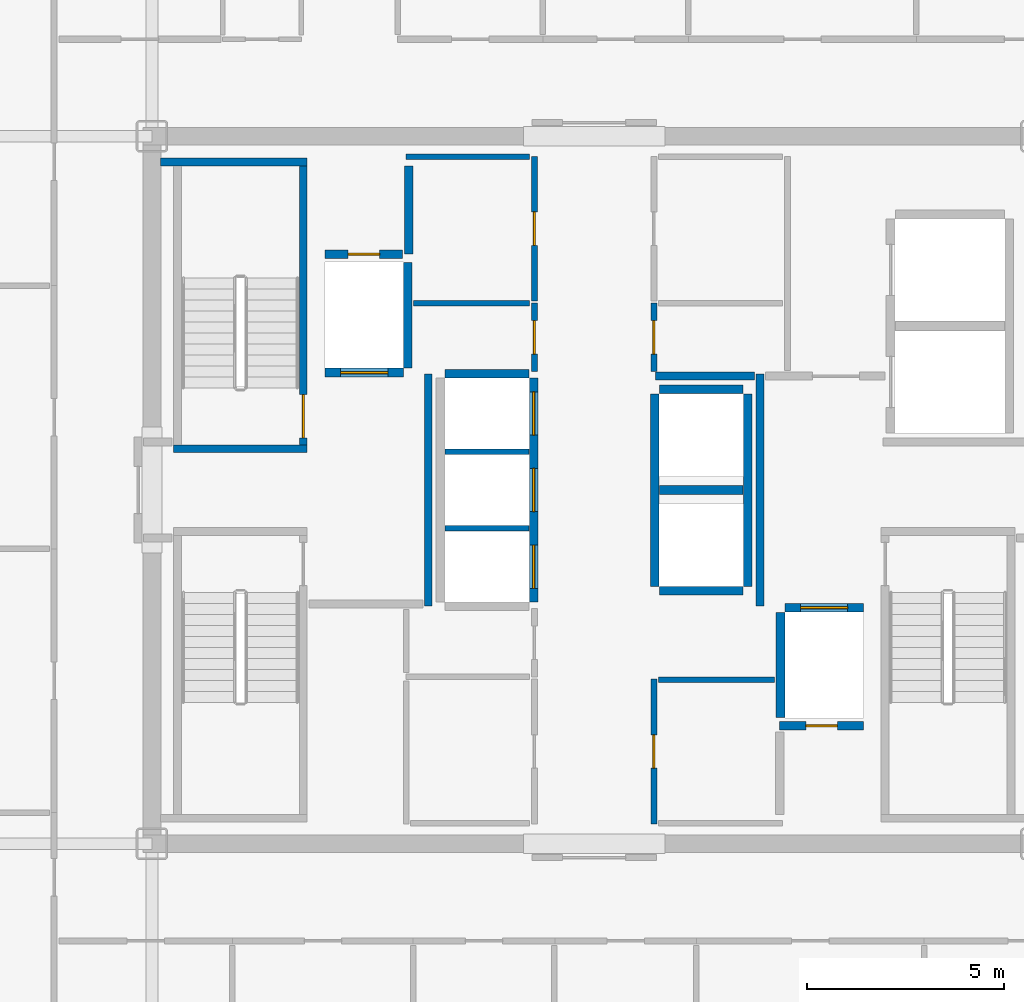
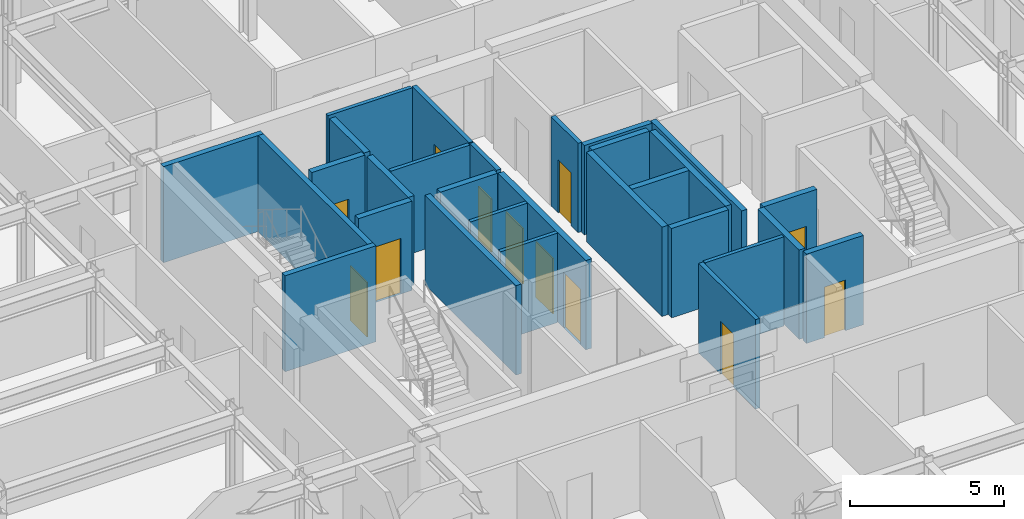
# One storey, part 14 of 18: 29 walls, 12 doors, 12 openings.
"""IFC4 building model written with IfcOpenShell, lengths in metres."""

import ifcopenshell
import ifcopenshell.guid

model = None  # the IFC model being written
_history = None  # IfcOwnerHistory: only IFC2X3 demands one
_inside = {}  # id of a spatial element -> (the spatial element, [elements in it])
_under = {}  # id of a project, library or spatial element -> (it, [spatial elements below it])
_declared = {}  # id of a project -> (the project, [libraries it declares])
_typed = {}  # id of a type object -> (the type object, [elements of that type])
_made_of = {}  # id of a material, layer set ... -> (it, [elements and type objects made of it])


def new_model(schema):
    """Start an empty IFC model of exactly this schema.

    Asked for "IFC4X3", IfcOpenShell would pick the latest addendum, in which some entities
    have other attributes; the version numbers below select the first issue.
    IFC2X3 requires an IfcOwnerHistory on every rooted entity: one is made here for all.
    """
    global model, _history
    if schema == "IFC4X3":
        model = ifcopenshell.file(schema_version=(4, 3, 0, 0))
    else:
        model = ifcopenshell.file(schema=schema)
    _inside.clear()
    _under.clear()
    _declared.clear()
    _typed.clear()
    _made_of.clear()
    _history = None
    if model.schema == "IFC2X3":
        org = make("IfcOrganization", Name="unknown")
        user = make(
            "IfcPersonAndOrganization",
            ThePerson=make("IfcPerson", FamilyName="unknown"),
            TheOrganization=org,
        )
        app = make(
            "IfcApplication",
            ApplicationDeveloper=org,
            Version="unknown",
            ApplicationFullName="unknown",
            ApplicationIdentifier="unknown",
        )
        _history = make(
            "IfcOwnerHistory",
            OwningUser=user,
            OwningApplication=app,
            ChangeAction="ADDED",
            CreationDate=0,
        )
    return model


def make(cls, **values):
    """One entity of the class cls with the attributes given. An attribute that is None is left unset."""
    return model.create_entity(
        cls, **{name: value for name, value in values.items() if value is not None}
    )


def rooted(cls, **values):
    """An entity with a GlobalId (a new one), such as an element, a storey or a relation."""
    return make(cls, GlobalId=ifcopenshell.guid.new(), OwnerHistory=_history, **values)


def si_unit(unit_type, name, prefix=None):
    """IfcSIUnit, for example si_unit("LENGTHUNIT", "METRE", prefix="MILLI")."""
    return make("IfcSIUnit", UnitType=unit_type, Prefix=prefix, Name=name)


def assignment(units):
    """IfcUnitAssignment: the units of a project."""
    return None if units is None else make("IfcUnitAssignment", Units=units)


def point(xyz):
    """IfcCartesianPoint."""
    return None if xyz is None else make("IfcCartesianPoint", Coordinates=xyz)


def direction(xyz):
    """IfcDirection."""
    return None if xyz is None else make("IfcDirection", DirectionRatios=xyz)


def frame(location, z_axis=None, x_axis=None):
    """IfcAxis2Placement3D, a coordinate frame: its origin and axes. An axis left out is left unset."""
    return make(
        "IfcAxis2Placement3D",
        Location=point(location),
        Axis=direction(z_axis),
        RefDirection=direction(x_axis),
    )


def frame_2d(location, x_axis=None):
    """IfcAxis2Placement2D, a coordinate frame in the plane: its origin and x axis."""
    return make(
        "IfcAxis2Placement2D", Location=point(location), RefDirection=direction(x_axis)
    )


def origin():
    """The frame at (0, 0, 0) with its axes left unset."""
    return frame((0.0, 0.0, 0.0))


def place(relative_to, where):
    """IfcLocalPlacement: puts the frame where relative to a parent placement (None: the world)."""
    return make(
        "IfcLocalPlacement", PlacementRelTo=relative_to, RelativePlacement=where
    )


def context(
    kind, dimensions, precision=None, world=None, true_north=None, identifier=None
):
    """IfcGeometricRepresentationContext, for example the 3D "Model" context."""
    return make(
        "IfcGeometricRepresentationContext",
        ContextIdentifier=identifier,
        ContextType=kind,
        CoordinateSpaceDimension=dimensions,
        Precision=precision,
        WorldCoordinateSystem=world,
        TrueNorth=true_north,
    )


def subcontext(parent, identifier, kind, view, scale=None):
    """IfcGeometricRepresentationSubContext, for example "Body" below "Model"."""
    return make(
        "IfcGeometricRepresentationSubContext",
        ContextIdentifier=identifier,
        ContextType=kind,
        ParentContext=parent,
        TargetScale=scale,
        TargetView=view,
    )


def project(units=None, contexts=None):
    """IfcProject with its units and contexts."""
    return rooted(
        "IfcProject",
        Name="project",
        RepresentationContexts=contexts,
        UnitsInContext=assignment(units),
    )


def spatial(cls, under=None, at=None, **own):
    """A site, building, storey or space (cls), placed at a placement, below another one or the project."""
    s = rooted(cls, ObjectPlacement=at, **own)
    if under is not None:
        _under.setdefault(under.id(), (under, []))[1].append(s)
    return s


def profile(cls, at=None, kind="AREA", **sizes):
    """A parametric profile (cls). Its sizes go by their IFC names, for example OverallWidth=200.0."""
    return make(cls, ProfileType=kind, Position=at, **sizes)


def rectangle(**sizes):
    """IfcRectangleProfileDef."""
    return profile("IfcRectangleProfileDef", **sizes)


def extrude(swept, where, along, depth):
    """IfcExtrudedAreaSolid: the profile swept, set in the frame where, extruded along a direction by depth."""
    return make(
        "IfcExtrudedAreaSolid",
        SweptArea=swept,
        Position=where,
        ExtrudedDirection=direction(along),
        Depth=depth,
    )


def shape(context_of_items, identifier, shape_type, items):
    """IfcShapeRepresentation: the items that make up one representation, for example the "Body"."""
    return make(
        "IfcShapeRepresentation",
        ContextOfItems=context_of_items,
        RepresentationIdentifier=identifier,
        RepresentationType=shape_type,
        Items=items,
    )


def source(mapping_origin, context_of_items, identifier, shape_type, items):
    """IfcRepresentationMap: a shape defined once, which mapped items show again and again."""
    return make(
        "IfcRepresentationMap",
        MappingOrigin=mapping_origin,
        MappedRepresentation=shape(context_of_items, identifier, shape_type, items),
    )


def transform(
    local_origin,
    x_axis=None,
    y_axis=None,
    z_axis=None,
    scale=None,
    scale2=None,
    scale3=None,
    uniform=True,
):
    """IfcCartesianTransformationOperator3D, or its non-uniform kind. x_axis, y_axis, z_axis: its Axis1, 2, 3."""
    if uniform:
        return make(
            "IfcCartesianTransformationOperator3D",
            Axis1=direction(x_axis),
            Axis2=direction(y_axis),
            LocalOrigin=point(local_origin),
            Scale=scale,
            Axis3=direction(z_axis),
        )
    return make(
        "IfcCartesianTransformationOperator3DnonUniform",
        Axis1=direction(x_axis),
        Axis2=direction(y_axis),
        LocalOrigin=point(local_origin),
        Scale=scale,
        Axis3=direction(z_axis),
        Scale2=scale2,
        Scale3=scale3,
    )


def mapped(mapping_source, mapping_target):
    """IfcMappedItem: shows the shape of a source again, moved by a transform."""
    return make(
        "IfcMappedItem", MappingSource=mapping_source, MappingTarget=mapping_target
    )


def material(Name=None, Category=None):
    """IfcMaterial."""
    return make("IfcMaterial", Name=Name, Category=Category)


def layer(
    of_material, thickness, ventilated=None, Name=None, Category=None, Priority=None
):
    """IfcMaterialLayer: one layer of a wall or slab, of a material (None: an air gap)."""
    return make(
        "IfcMaterialLayer",
        Material=of_material,
        LayerThickness=thickness,
        IsVentilated=ventilated,
        Name=Name,
        Category=Category,
        Priority=Priority,
    )


def layer_set(layers, Name=None):
    """IfcMaterialLayerSet."""
    return make("IfcMaterialLayerSet", MaterialLayers=layers, LayerSetName=Name)


def made_of(thing, what):
    """Note that an element or type object is made of a material, layer set ...; save() writes the relation."""
    if what is not None:
        _made_of.setdefault(what.id(), (what, []))[1].append(thing)
    return thing


def type_object(cls, material=None, **own):
    """A type object (cls), such as IfcWallType, which elements share."""
    return made_of(rooted(cls, **own), material)


def element(
    cls,
    number,
    at=None,
    inside=None,
    cuts=None,
    type_object=None,
    material=None,
    context=None,
    identifier="Body",
    shape_type=None,
    held_by="IfcProductDefinitionShape",
    body=None,
    shapes=None,
    **own,
):
    """One element of the class cls, such as IfcWall. Its Tag is "e" and its number.

    at: its placement. inside: the storey or other place that contains it. cuts: it is an
    opening in that element (IfcRelVoidsElement). A single representation is given by context,
    identifier, shape_type and body (its items); several are given by shapes. held_by: the class
    of the entity that holds the representations. save() writes the other relations.
    """
    e = rooted(cls, Tag="e%d" % number, ObjectPlacement=at, **own)
    if body is not None:
        shapes = [shape(context, identifier, shape_type, body)]
    if shapes is not None:
        e.Representation = make(held_by, Representations=shapes)
    if inside is not None:
        _inside.setdefault(inside.id(), (inside, []))[1].append(e)
    if cuts is not None:
        rooted(
            "IfcRelVoidsElement", RelatingBuildingElement=cuts, RelatedOpeningElement=e
        )
    if type_object is not None:
        _typed.setdefault(type_object.id(), (type_object, []))[1].append(e)
    return made_of(e, material)


def fill(opening, filler):
    """IfcRelFillsElement: the door or window that sits in an opening."""
    return rooted(
        "IfcRelFillsElement",
        RelatingOpeningElement=opening,
        RelatedBuildingElement=filler,
    )


def aggregate(whole, parts):
    """IfcRelAggregates: a whole, such as a stair, and the parts it consists of."""
    return rooted("IfcRelAggregates", RelatingObject=whole, RelatedObjects=parts)


def save(model, path):
    """Write the relations noted so far, then the file.

    IfcRelAggregates (storeys below a building ...), IfcRelContainedInSpatialStructure (elements
    in a storey), IfcRelDefinesByType, IfcRelAssociatesMaterial and IfcRelDeclares: one each for
    every whole, place, type object, material and project.
    """
    for whole, parts in _under.values():
        aggregate(whole, parts)
    for where, things in _inside.values():
        rooted(
            "IfcRelContainedInSpatialStructure",
            RelatedElements=things,
            RelatingStructure=where,
        )
    for kind, things in _typed.values():
        rooted("IfcRelDefinesByType", RelatedObjects=things, RelatingType=kind)
    for what, things in _made_of.values():
        rooted("IfcRelAssociatesMaterial", RelatedObjects=things, RelatingMaterial=what)
    for by, libraries in _declared.values():
        rooted("IfcRelDeclares", RelatingContext=by, RelatedDefinitions=libraries)
    model.write(path)


model = new_model("IFC4")

# Units and contexts
model_context = context("Model", 3, precision=1e-05, world=origin(), true_north=direction((0.0, 1.0)))
body_context = subcontext(model_context, "Body", "Model", "MODEL_VIEW")
ifc_project = project(units=[si_unit("LENGTHUNIT", "METRE"), si_unit("AREAUNIT", "SQUARE_METRE"), si_unit("VOLUMEUNIT", "CUBIC_METRE"), si_unit("PLANEANGLEUNIT", "RADIAN"), si_unit("MASSUNIT", "GRAM", prefix="KILO")], contexts=[model_context])

# Site, building, storey
site_placement = place(None, origin())
site = spatial("IfcSite", under=ifc_project, at=site_placement, CompositionType="ELEMENT")
building_placement = place(site_placement, origin())
building = spatial("IfcBuilding", under=site, at=building_placement, Name="Nefas-Gora Pilgrimage Tower", CompositionType="ELEMENT")
storey_placement = place(building_placement, frame((0.0, 0.0, 268.39990234375)))
storey = spatial("IfcBuildingStorey", under=building, at=storey_placement, Name="L67", CompositionType="ELEMENT", Elevation=268.39990234375)

# Wall
ifc_material_1 = material(Name="Concrete C45/55", Category="concrete")
ifc_layer_1 = layer(ifc_material_1, 0.199951171875)
ifc_layer_set_1 = layer_set([ifc_layer_1], Name="Concrete C45/55")
wall_type_1 = type_object("IfcWallType", Name="IW-STAIR-200", PredefinedType="SOLIDWALL", material=ifc_layer_set_1)
shared_shape_1 = source(origin(), body_context, "Body", "SweptSolid", [
    extrude(rectangle(XDim=3.39990234375, YDim=0.199951171875, at=frame_2d((1.699951171875, 0.0))), origin(), (0.0, 0.0, 1.0), 3.800048828125),
])
wall_1_placement = place(storey_placement, frame((-7.300048828125, 1.050048828125, 0.0), z_axis=(0.0, 0.0, 1.0), x_axis=(-1.0, 0.0, 0.0)))
element("IfcWall", 1, at=wall_1_placement, inside=storey, type_object=wall_type_1, Name="L67 Stairwell Shear Wall ST-01-near", PredefinedType="SOLIDWALL", context=body_context, shape_type="MappedRepresentation", body=[
    mapped(shared_shape_1, transform((0.0, 0.0, 0.0), x_axis=(1.0, 0.0, 0.0), y_axis=(0.0, 1.0, 0.0), z_axis=(0.0, 0.0, 1.0), scale=1.0)),
])

# Wall, opening, door
shared_shape_2 = source(origin(), body_context, "Body", "SweptSolid", [
    extrude(rectangle(XDim=7.10009765625, YDim=0.199951171875, at=frame_2d((3.550048828125, 0.0))), origin(), (0.0, 0.0, 1.0), 3.800048828125),
])
wall_2_placement = place(storey_placement, frame((-7.39990234375, 1.14990234375, 0.0), z_axis=(0.0, 0.0, 1.0), x_axis=(0.0, 1.0, 0.0)))
wall_2 = element("IfcWall", 2, at=wall_2_placement, inside=storey, type_object=wall_type_1, Name="L67 Stairwell Shear Wall ST-01-left", PredefinedType="SOLIDWALL", context=body_context, shape_type="MappedRepresentation", body=[
    mapped(shared_shape_2, transform((0.0, 0.0, 0.0), x_axis=(1.0, 0.0, 0.0), y_axis=(0.0, 1.0, 0.0), z_axis=(0.0, 0.0, 1.0), scale=1.0)),
])
opening_1_placement = place(wall_2_placement, frame((0.179931640625, 0.0, 0.0)))
opening_1 = element("IfcOpeningElement", 3, at=opening_1_placement, cuts=wall_2, Name="Opening ID-ST1", PredefinedType="OPENING", context=body_context, shape_type="SweptSolid", body=[
    extrude(rectangle(XDim=1.10009765625, YDim=2.14990234375, at=frame_2d((0.550048828125, 1.074951171875))), frame((0.0, 0.10986328125, 0.0), z_axis=(0.0, -1.0, 0.0), x_axis=(1.0, 0.0, 0.0)), (0.0, 0.0, 1.0), 0.219970703125),
])
ifc_material_2 = material(Name="Painted galvanised steel fire stair door", Category="steel")
door_type_1 = type_object("IfcDoorType", Name="DR-INT-STAIR-1100", OperationType="NOTDEFINED", PredefinedType="DOOR", material=ifc_material_2)
shared_shape_3 = source(origin(), body_context, "Body", "SweptSolid", [
    extrude(rectangle(XDim=1.10009765625, YDim=2.14990234375, at=frame_2d((0.550048828125, 1.074951171875))), frame((0.0, 0.02490234375, 0.0), z_axis=(0.0, -1.0, 0.0), x_axis=(1.0, 0.0, 0.0)), (0.0, 0.0, 1.0), 0.050048828125),
])
door_1_placement = place(opening_1_placement, origin())
door_1 = element("IfcDoor", 4, at=door_1_placement, inside=storey, type_object=door_type_1, Name="L67 Protected Exit Stair Door ST-01", OperationType="SINGLE_SWING_LEFT", OverallHeight=2.14990234375, OverallWidth=1.10009765625, PredefinedType="DOOR", context=body_context, shape_type="MappedRepresentation", body=[
    mapped(shared_shape_3, transform((0.0, 0.0, 0.0), x_axis=(1.0, 0.0, 0.0), y_axis=(0.0, 1.0, 0.0), z_axis=(0.0, 0.0, 1.0), scale=1.0)),
])
fill(opening_1, door_1)

# Wall
shared_shape_4 = source(origin(), body_context, "Body", "SweptSolid", [
    extrude(rectangle(XDim=3.72998046875, YDim=0.199951171875, at=frame_2d((1.864990234375, 0.0))), origin(), (0.0, 0.0, 1.0), 3.800048828125),
])
wall_3_placement = place(storey_placement, frame((-7.300048828125, 8.35009765625, 0.0), z_axis=(0.0, 0.0, 1.0), x_axis=(-1.0, 0.0, 0.0)))
element("IfcWall", 5, at=wall_3_placement, inside=storey, type_object=wall_type_1, Name="L67 Stairwell Shear Wall ST-01-far", PredefinedType="SOLIDWALL", context=body_context, shape_type="MappedRepresentation", body=[
    mapped(shared_shape_4, transform((0.0, 0.0, 0.0), x_axis=(1.0, 0.0, 0.0), y_axis=(0.0, 1.0, 0.0), z_axis=(0.0, 0.0, 1.0), scale=1.0)),
])

# Wall, opening, door
ifc_material_3 = material(Name="Concrete C40/50", Category="concrete")
ifc_layer_2 = layer(ifc_material_3, 0.219970703125)
ifc_layer_set_2 = layer_set([ifc_layer_2], Name="Concrete C40/50")
wall_type_2 = type_object("IfcWallType", Name="IW-SHAFT-220", PredefinedType="SOLIDWALL", material=ifc_layer_set_2)
shared_shape_5 = source(origin(), body_context, "Body", "SweptSolid", [
    extrude(rectangle(XDim=2.0, YDim=0.219970703125, at=frame_2d((1.0, 0.0))), origin(), (0.0, 0.0, 1.0), 3.53515625),
])
wall_4_placement = place(storey_placement, frame((-6.85009765625, 2.989990234375, 0.0), z_axis=(0.0, 0.0, 1.0), x_axis=(1.0, 0.0, 0.0)))
wall_4 = element("IfcWall", 6, at=wall_4_placement, inside=storey, type_object=wall_type_2, Name="L67 Hoistway Wall FFL-01-S", PredefinedType="SOLIDWALL", context=body_context, shape_type="MappedRepresentation", body=[
    mapped(shared_shape_5, transform((0.0, 0.0, 0.0), x_axis=(1.0, 0.0, 0.0), y_axis=(0.0, 1.0, 0.0), z_axis=(0.0, 0.0, 1.0), scale=1.0)),
])
opening_2_placement = place(wall_4_placement, frame((0.39990234375, 0.0, 0.0)))
opening_2 = element("IfcOpeningElement", 7, at=opening_2_placement, cuts=wall_4, Name="Opening LD-FF", PredefinedType="OPENING", context=body_context, shape_type="SweptSolid", body=[
    extrude(rectangle(XDim=1.199951171875, YDim=2.199951171875, at=frame_2d((0.60009765625, 1.10009765625))), frame((0.0, 0.119873046875, 0.0), z_axis=(0.0, -1.0, 0.0), x_axis=(1.0, 0.0, 0.0)), (0.0, 0.0, 1.0), 0.239990234375),
])
ifc_material_4 = material(Name="Fire-service sliding lift landing door")
door_type_2 = type_object("IfcDoorType", Name="DR-LIFT-FSAE-1200", OperationType="SLIDING_TO_LEFT", PredefinedType="DOOR", material=ifc_material_4)
shared_shape_6 = source(origin(), body_context, "Body", "SweptSolid", [
    extrude(rectangle(XDim=1.199951171875, YDim=2.199951171875, at=frame_2d((0.60009765625, 1.10009765625))), frame((0.0, 0.02490234375, 0.0), z_axis=(0.0, -1.0, 0.0), x_axis=(1.0, 0.0, 0.0)), (0.0, 0.0, 1.0), 0.050048828125),
])
door_2_placement = place(opening_2_placement, origin())
door_2 = element("IfcDoor", 8, at=door_2_placement, inside=storey, type_object=door_type_2, Name="L67 Sliding Lift Landing Door FFL-01", OperationType="SLIDING_TO_LEFT", OverallHeight=2.199951171875, OverallWidth=1.199951171875, PredefinedType="DOOR", context=body_context, shape_type="MappedRepresentation", body=[
    mapped(shared_shape_6, transform((0.0, 0.0, 0.0), x_axis=(1.0, 0.0, 0.0), y_axis=(0.0, 1.0, 0.0), z_axis=(0.0, 0.0, 1.0), scale=1.0)),
])
fill(opening_2, door_2)

wall_5_placement = place(storey_placement, frame((6.85009765625, -2.989990234375, 0.0), z_axis=(0.0, 0.0, 1.0), x_axis=(-1.0, 0.0, 0.0)))
wall_5 = element("IfcWall", 9, at=wall_5_placement, inside=storey, type_object=wall_type_2, Name="L67 Hoistway Wall FFL-02-N", PredefinedType="SOLIDWALL", context=body_context, shape_type="MappedRepresentation", body=[
    mapped(shared_shape_5, transform((0.0, 0.0, 0.0), x_axis=(1.0, 0.0, 0.0), y_axis=(0.0, 1.0, 0.0), z_axis=(0.0, 0.0, 1.0), scale=1.0)),
])
opening_3_placement = place(wall_5_placement, frame((0.39990234375, 0.0, 0.0)))
opening_3 = element("IfcOpeningElement", 10, at=opening_3_placement, cuts=wall_5, Name="Opening LD-FF", PredefinedType="OPENING", context=body_context, shape_type="SweptSolid", body=[
    extrude(rectangle(XDim=1.199951171875, YDim=2.199951171875, at=frame_2d((0.60009765625, 1.10009765625))), frame((0.0, 0.119873046875, 0.0), z_axis=(0.0, -1.0, 0.0), x_axis=(1.0, 0.0, 0.0)), (0.0, 0.0, 1.0), 0.239990234375),
])
door_3_placement = place(opening_3_placement, origin())
door_3 = element("IfcDoor", 11, at=door_3_placement, inside=storey, type_object=door_type_2, Name="L67 Sliding Lift Landing Door FFL-02", OperationType="SLIDING_TO_LEFT", OverallHeight=2.199951171875, OverallWidth=1.199951171875, PredefinedType="DOOR", context=body_context, shape_type="MappedRepresentation", body=[
    mapped(shared_shape_6, transform((0.0, 0.0, 0.0), x_axis=(1.0, 0.0, 0.0), y_axis=(0.0, 1.0, 0.0), z_axis=(0.0, 0.0, 1.0), scale=1.0)),
])
fill(opening_3, door_3)

# Walls
shared_shape_7 = source(origin(), body_context, "Body", "SweptSolid", [
    extrude(rectangle(XDim=2.679931640625, YDim=0.219970703125, at=frame_2d((1.33984375, 0.0))), origin(), (0.0, 0.0, 1.0), 3.53515625),
])
for number, where, z_axis, x_axis, name in (
    (12, (-4.739990234375, 3.110107421875, 0.0), (0.0, 0.0, 1.0), (0.0, 1.0, 0.0), "L67 Hoistway Wall FFL-01-E"),
    (13, (4.739990234375, -3.110107421875, 0.0), (0.0, 0.0, 1.0), (0.0, -1.0, 0.0), "L67 Hoistway Wall FFL-02-W"),
):
    element("IfcWall", number, at=place(storey_placement, frame(where, z_axis=z_axis, x_axis=x_axis)), inside=storey, type_object=wall_type_2, Name=name, PredefinedType="SOLIDWALL", context=body_context, shape_type="MappedRepresentation", body=[
        mapped(shared_shape_7, transform((0.0, 0.0, 0.0), x_axis=(1.0, 0.0, 0.0), y_axis=(0.0, 1.0, 0.0), z_axis=(0.0, 0.0, 1.0), scale=1.0)),
    ])

# Wall, openings, doors
shared_shape_8 = source(origin(), body_context, "Body", "SweptSolid", [
    extrude(rectangle(XDim=5.7001953125, YDim=0.219970703125, at=frame_2d((2.85009765625, 0.0))), origin(), (0.0, 0.0, 1.0), 3.53515625),
])
wall_6_placement = place(storey_placement, frame((-1.5400390625, -2.85009765625, 0.0), z_axis=(0.0, 0.0, 1.0), x_axis=(0.0, 1.0, 0.0)))
wall_6 = element("IfcWall", 14, at=wall_6_placement, inside=storey, type_object=wall_type_2, Name="L67 Hoistway Wall PL3-01-03-E", PredefinedType="SOLIDWALL", context=body_context, shape_type="MappedRepresentation", body=[
    mapped(shared_shape_8, transform((0.0, 0.0, 0.0), x_axis=(1.0, 0.0, 0.0), y_axis=(0.0, 1.0, 0.0), z_axis=(0.0, 0.0, 1.0), scale=1.0)),
])
opening_4_placement = place(wall_6_placement, frame((0.35009765625, 0.0, 0.0)))
opening_4 = element("IfcOpeningElement", 15, at=opening_4_placement, cuts=wall_6, Name="Opening LD-01", PredefinedType="OPENING", context=body_context, shape_type="SweptSolid", body=[
    extrude(rectangle(XDim=1.10009765625, YDim=2.199951171875, at=frame_2d((0.550048828125, 1.10009765625))), frame((0.0, 0.119873046875, 0.0), z_axis=(0.0, -1.0, 0.0), x_axis=(1.0, 0.0, 0.0)), (0.0, 0.0, 1.0), 0.239990234375),
])
opening_5_placement = place(wall_6_placement, frame((2.300048828125, 0.0, 0.0)))
opening_5 = element("IfcOpeningElement", 16, at=opening_5_placement, cuts=wall_6, Name="Opening LD-01", PredefinedType="OPENING", context=body_context, shape_type="SweptSolid", body=[
    extrude(rectangle(XDim=1.10009765625, YDim=2.199951171875, at=frame_2d((0.550048828125, 1.10009765625))), frame((0.0, 0.119873046875, 0.0), z_axis=(0.0, -1.0, 0.0), x_axis=(1.0, 0.0, 0.0)), (0.0, 0.0, 1.0), 0.239990234375),
])
opening_6_placement = place(wall_6_placement, frame((4.25, 0.0, 0.0)))
opening_6 = element("IfcOpeningElement", 17, at=opening_6_placement, cuts=wall_6, Name="Opening LD-01", PredefinedType="OPENING", context=body_context, shape_type="SweptSolid", body=[
    extrude(rectangle(XDim=1.10009765625, YDim=2.199951171875, at=frame_2d((0.550048828125, 1.10009765625))), frame((0.0, 0.119873046875, 0.0), z_axis=(0.0, -1.0, 0.0), x_axis=(1.0, 0.0, 0.0)), (0.0, 0.0, 1.0), 0.239990234375),
])
ifc_material_5 = material(Name="Brushed stainless sliding lift landing door")
door_type_3 = type_object("IfcDoorType", Name="DR-LIFT-PASS-1100", OperationType="DOUBLE_DOOR_SLIDING", PredefinedType="DOOR", material=ifc_material_5)
shared_shape_9 = source(origin(), body_context, "Body", "SweptSolid", [
    extrude(rectangle(XDim=1.10009765625, YDim=2.199951171875, at=frame_2d((0.550048828125, 1.10009765625))), frame((0.0, 0.02490234375, 0.0), z_axis=(0.0, -1.0, 0.0), x_axis=(1.0, 0.0, 0.0)), (0.0, 0.0, 1.0), 0.050048828125),
])
door_4_placement = place(opening_4_placement, origin())
door_4 = element("IfcDoor", 18, at=door_4_placement, inside=storey, type_object=door_type_3, Name="L67 Sliding Lift Landing Door PL3-01", OperationType="DOUBLE_DOOR_SLIDING", OverallHeight=2.199951171875, OverallWidth=1.10009765625, PredefinedType="DOOR", context=body_context, shape_type="MappedRepresentation", body=[
    mapped(shared_shape_9, transform((0.0, 0.0, 0.0), x_axis=(1.0, 0.0, 0.0), y_axis=(0.0, 1.0, 0.0), z_axis=(0.0, 0.0, 1.0), scale=1.0)),
])
fill(opening_4, door_4)
door_5_placement = place(opening_5_placement, origin())
door_5 = element("IfcDoor", 19, at=door_5_placement, inside=storey, type_object=door_type_3, Name="L67 Sliding Lift Landing Door PL3-02", OperationType="DOUBLE_DOOR_SLIDING", OverallHeight=2.199951171875, OverallWidth=1.10009765625, PredefinedType="DOOR", context=body_context, shape_type="MappedRepresentation", body=[
    mapped(shared_shape_9, transform((0.0, 0.0, 0.0), x_axis=(1.0, 0.0, 0.0), y_axis=(0.0, 1.0, 0.0), z_axis=(0.0, 0.0, 1.0), scale=1.0)),
])
fill(opening_5, door_5)
door_6_placement = place(opening_6_placement, origin())
door_6 = element("IfcDoor", 20, at=door_6_placement, inside=storey, type_object=door_type_3, Name="L67 Sliding Lift Landing Door PL3-03", OperationType="DOUBLE_DOOR_SLIDING", OverallHeight=2.199951171875, OverallWidth=1.10009765625, PredefinedType="DOOR", context=body_context, shape_type="MappedRepresentation", body=[
    mapped(shared_shape_9, transform((0.0, 0.0, 0.0), x_axis=(1.0, 0.0, 0.0), y_axis=(0.0, 1.0, 0.0), z_axis=(0.0, 0.0, 1.0), scale=1.0)),
])
fill(opening_6, door_6)

# Walls
shared_shape_10 = source(origin(), body_context, "Body", "SweptSolid", [
    extrude(rectangle(XDim=2.130126953125, YDim=0.219970703125, at=frame_2d((1.06494140625, 0.0))), origin(), (0.0, 0.0, 1.0), 3.53515625),
])
for number, where, z_axis, x_axis, name in (
    (21, (-1.659912109375, 2.9599609375, 0.0), (0.0, 0.0, 1.0), (-1.0, 0.0, 0.0), "L67 Hoistway Wall PL3-03-N"),
    (22, (1.659912109375, -2.56005859375, 0.0), (0.0, 0.0, 1.0), (1.0, 0.0, 0.0), "L67 Hoistway Wall OBS-01-S"),
    (23, (1.659912109375, 0.0, 0.0), (0.0, 0.0, 1.0), (1.0, 0.0, 0.0), "L67 Hoistway Wall OBS-01-02-DIV"),
    (24, (3.7900390625, 2.56005859375, 0.0), (0.0, 0.0, 1.0), (-1.0, 0.0, 0.0), "L67 Hoistway Wall OBS-02-N"),
):
    element("IfcWall", number, at=place(storey_placement, frame(where, z_axis=z_axis, x_axis=x_axis)), inside=storey, type_object=wall_type_2, Name=name, PredefinedType="SOLIDWALL", context=body_context, shape_type="MappedRepresentation", body=[
        mapped(shared_shape_10, transform((0.0, 0.0, 0.0), x_axis=(1.0, 0.0, 0.0), y_axis=(0.0, 1.0, 0.0), z_axis=(0.0, 0.0, 1.0), scale=1.0)),
    ])

# Wall, opening, door
wall_7_placement = place(storey_placement, frame((4.719970703125, -6.0, 0.0), z_axis=(0.0, 0.0, 1.0), x_axis=(1.0, 0.0, 0.0)))
wall_7 = element("IfcWall", 25, at=wall_7_placement, inside=storey, type_object=wall_type_2, Name="L67 Riser Shaft Wall 3", PredefinedType="SOLIDWALL", context=body_context, shape_type="MappedRepresentation", body=[
    mapped(shared_shape_10, transform((0.0, 0.0, 0.0), x_axis=(1.0, 0.0, 0.0), y_axis=(0.0, 1.0, 0.0), z_axis=(0.0, 0.0, 1.0), scale=1.0)),
])
opening_7_placement = place(wall_7_placement, frame((0.6650390625, 0.0, 0.0)))
opening_7 = element("IfcOpeningElement", 26, at=opening_7_placement, cuts=wall_7, Name="Opening ID-TR1", PredefinedType="OPENING", context=body_context, shape_type="SweptSolid", body=[
    extrude(rectangle(XDim=0.800048828125, YDim=2.0, at=frame_2d((0.39990234375, 1.0))), frame((0.0, 0.119873046875, 0.0), z_axis=(0.0, -1.0, 0.0), x_axis=(1.0, 0.0, 0.0)), (0.0, 0.0, 1.0), 0.239990234375),
])
ifc_material_6 = material(Name="Riser maintenance fire access door")
door_type_4 = type_object("IfcDoorType", Name="DR-INT-TRAP-800", OperationType="NOTDEFINED", PredefinedType="TRAPDOOR", material=ifc_material_6)
shared_shape_11 = source(origin(), body_context, "Body", "SweptSolid", [
    extrude(rectangle(XDim=0.800048828125, YDim=2.0, at=frame_2d((0.39990234375, 1.0))), frame((0.0, 0.02490234375, 0.0), z_axis=(0.0, -1.0, 0.0), x_axis=(1.0, 0.0, 0.0)), (0.0, 0.0, 1.0), 0.050048828125),
])
door_7_placement = place(opening_7_placement, origin())
door_7 = element("IfcDoor", 27, at=door_7_placement, inside=storey, type_object=door_type_4, Name="L67 Riser Shaft Door 2", OperationType="SINGLE_SWING_RIGHT", OverallHeight=2.0, OverallWidth=0.800048828125, PredefinedType="TRAPDOOR", context=body_context, shape_type="MappedRepresentation", body=[
    mapped(shared_shape_11, transform((0.0, 0.0, 0.0), x_axis=(1.0, 0.0, 0.0), y_axis=(0.0, 1.0, 0.0), z_axis=(0.0, 0.0, 1.0), scale=1.0)),
])
fill(opening_7, door_7)

# Walls
ifc_material_7 = material(Name="Gypsum twin-stud partition")
ifc_layer_3 = layer(ifc_material_7, 0.139892578125)
ifc_layer_set_3 = layer_set([ifc_layer_3], Name="Gypsum twin-stud partition")
wall_type_3 = type_object("IfcWallType", Name="IW-UNIT-140", PredefinedType="PARTITIONING", material=ifc_layer_set_3)
shared_shape_12 = source(origin(), body_context, "Body", "SweptSolid", [
    extrude(rectangle(XDim=2.130126953125, YDim=0.139892578125, at=frame_2d((1.06494140625, 0.0))), origin(), (0.0, 0.0, 1.0), 3.53515625),
])
for number, where, z_axis, x_axis, name in (
    (28, (-3.7900390625, -0.97509765625, 0.0), (0.0, 0.0, 1.0), (1.0, 0.0, 0.0), "L67 Hoistway Wall PL3-01-02-DIV"),
    (29, (-3.7900390625, 0.97509765625, 0.0), (0.0, 0.0, 1.0), (1.0, 0.0, 0.0), "L67 Hoistway Wall PL3-02-03-DIV"),
):
    element("IfcWall", number, at=place(storey_placement, frame(where, z_axis=z_axis, x_axis=x_axis)), inside=storey, type_object=wall_type_3, Name=name, PredefinedType="PARTITIONING", context=body_context, shape_type="MappedRepresentation", body=[
        mapped(shared_shape_12, transform((0.0, 0.0, 0.0), x_axis=(1.0, 0.0, 0.0), y_axis=(0.0, 1.0, 0.0), z_axis=(0.0, 0.0, 1.0), scale=1.0)),
    ])
shared_shape_13 = source(origin(), body_context, "Body", "SweptSolid", [
    extrude(rectangle(XDim=4.89990234375, YDim=0.219970703125, at=frame_2d((2.449951171875, 0.0))), origin(), (0.0, 0.0, 1.0), 3.53515625),
])
for number, where, z_axis, x_axis, name in (
    (30, (1.5400390625, 2.449951171875, 0.0), (0.0, 0.0, 1.0), (0.0, -1.0, 0.0), "L67 Hoistway Wall OBS-01-02-W"),
    (31, (3.909912109375, -2.449951171875, 0.0), (0.0, 0.0, 1.0), (0.0, 1.0, 0.0), "L67 Hoistway Wall OBS-01-02-E"),
):
    element("IfcWall", number, at=place(storey_placement, frame(where, z_axis=z_axis, x_axis=x_axis)), inside=storey, type_object=wall_type_2, Name=name, PredefinedType="SOLIDWALL", context=body_context, shape_type="MappedRepresentation", body=[
        mapped(shared_shape_13, transform((0.0, 0.0, 0.0), x_axis=(1.0, 0.0, 0.0), y_axis=(0.0, 1.0, 0.0), z_axis=(0.0, 0.0, 1.0), scale=1.0)),
    ])
ifc_material_8 = material(Name="Gypsum fire-rated shaftwall")
ifc_layer_4 = layer(ifc_material_8, 0.199951171875)
ifc_layer_set_4 = layer_set([ifc_layer_4], Name="Gypsum fire-rated shaftwall")
wall_type_4 = type_object("IfcWallType", Name="IW-FFLOB-200", PredefinedType="PARTITIONING", material=ifc_layer_set_4)
shared_shape_14 = source(origin(), body_context, "Body", "SweptSolid", [
    extrude(rectangle(XDim=5.89990234375, YDim=0.199951171875, at=frame_2d((2.949951171875, 0.0))), origin(), (0.0, 0.0, 1.0), 3.53515625),
])
for number, where, z_axis, x_axis, name in (
    (32, (-4.219970703125, -2.949951171875, 0.0), (0.0, 0.0, 1.0), (0.0, 1.0, 0.0), "L67 FF Lobby West Inner Wall Wall 6"),
    (33, (4.219970703125, -2.949951171875, 0.0), (0.0, 0.0, 1.0), (0.0, 1.0, 0.0), "L67 FF Lobby East Inner Wall Wall 11"),
):
    element("IfcWall", number, at=place(storey_placement, frame(where, z_axis=z_axis, x_axis=x_axis)), inside=storey, type_object=wall_type_4, Name=name, PredefinedType="PARTITIONING", context=body_context, shape_type="MappedRepresentation", body=[
        mapped(shared_shape_14, transform((0.0, 0.0, 0.0), x_axis=(1.0, 0.0, 0.0), y_axis=(0.0, 1.0, 0.0), z_axis=(0.0, 0.0, 1.0), scale=1.0)),
    ])
shared_shape_15 = source(origin(), body_context, "Body", "SweptSolid", [
    extrude(rectangle(XDim=3.150146484375, YDim=0.139892578125, at=frame_2d((1.5751953125, 0.0))), origin(), (0.0, 0.0, 1.0), 3.53515625),
])
wall_8_placement = place(storey_placement, frame((-4.7900390625, 8.47998046875, 0.0), z_axis=(0.0, 0.0, 1.0), x_axis=(1.0, 0.0, 0.0)))
element("IfcWall", 34, at=wall_8_placement, inside=storey, type_object=wall_type_3, Name="L67 Archival Supply Store Partition Wall 22", PredefinedType="PARTITIONING", context=body_context, shape_type="MappedRepresentation", body=[
    mapped(shared_shape_15, transform((0.0, 0.0, 0.0), x_axis=(1.0, 0.0, 0.0), y_axis=(0.0, 1.0, 0.0), z_axis=(0.0, 0.0, 1.0), scale=1.0)),
])
shared_shape_16 = source(origin(), body_context, "Body", "SweptSolid", [
    extrude(rectangle(XDim=2.9501953125, YDim=0.139892578125, at=frame_2d((1.47509765625, 0.0))), origin(), (0.0, 0.0, 1.0), 3.53515625),
])
for number, where, z_axis, x_axis, name in (
    (35, (-4.590087890625, 4.75, 0.0), (0.0, 0.0, 1.0), (1.0, 0.0, 0.0), "L67 Housekeeping and Linen Store Partition Wall 20"),
    (36, (1.639892578125, -4.820068359375, 0.0), (0.0, 0.0, 1.0), (1.0, 0.0, 0.0), "L67 High-Rise Tableware Store Partition Wall 34"),
):
    element("IfcWall", number, at=place(storey_placement, frame(where, z_axis=z_axis, x_axis=x_axis)), inside=storey, type_object=wall_type_3, Name=name, PredefinedType="PARTITIONING", context=body_context, shape_type="MappedRepresentation", body=[
        mapped(shared_shape_16, transform((0.0, 0.0, 0.0), x_axis=(1.0, 0.0, 0.0), y_axis=(0.0, 1.0, 0.0), z_axis=(0.0, 0.0, 1.0), scale=1.0)),
    ])
shared_shape_17 = source(origin(), body_context, "Body", "SweptSolid", [
    extrude(rectangle(XDim=2.25, YDim=0.219970703125, at=frame_2d((1.125, 0.0))), origin(), (0.0, 0.0, 1.0), 3.53515625),
])
wall_9_placement = place(storey_placement, frame((-4.719970703125, 6.0, 0.0), z_axis=(0.0, 0.0, 1.0), x_axis=(0.0, 1.0, 0.0)))
element("IfcWall", 37, at=wall_9_placement, inside=storey, type_object=wall_type_2, Name="L67 Riser Shaft Wall 1", PredefinedType="SOLIDWALL", context=body_context, shape_type="MappedRepresentation", body=[
    mapped(shared_shape_17, transform((0.0, 0.0, 0.0), x_axis=(1.0, 0.0, 0.0), y_axis=(0.0, 1.0, 0.0), z_axis=(0.0, 0.0, 1.0), scale=1.0)),
])

# Wall, opening, door
shared_shape_18 = source(origin(), body_context, "Body", "SweptSolid", [
    extrude(rectangle(XDim=1.97998046875, YDim=0.219970703125, at=frame_2d((0.989990234375, 0.0))), origin(), (0.0, 0.0, 1.0), 3.53515625),
])
wall_10_placement = place(storey_placement, frame((-6.85009765625, 6.0, 0.0), z_axis=(0.0, 0.0, 1.0), x_axis=(1.0, 0.0, 0.0)))
wall_10 = element("IfcWall", 38, at=wall_10_placement, inside=storey, type_object=wall_type_2, Name="L67 Riser Shaft Wall 2", PredefinedType="SOLIDWALL", context=body_context, shape_type="MappedRepresentation", body=[
    mapped(shared_shape_18, transform((0.0, 0.0, 0.0), x_axis=(1.0, 0.0, 0.0), y_axis=(0.0, 1.0, 0.0), z_axis=(0.0, 0.0, 1.0), scale=1.0)),
])
opening_8_placement = place(wall_10_placement, frame((0.590087890625, 0.0, 0.0)))
opening_8 = element("IfcOpeningElement", 39, at=opening_8_placement, cuts=wall_10, Name="Opening ID-TR1", PredefinedType="OPENING", context=body_context, shape_type="SweptSolid", body=[
    extrude(rectangle(XDim=0.800048828125, YDim=2.0, at=frame_2d((0.39990234375, 1.0))), frame((0.0, 0.119873046875, 0.0), z_axis=(0.0, -1.0, 0.0), x_axis=(1.0, 0.0, 0.0)), (0.0, 0.0, 1.0), 0.239990234375),
])
door_8_placement = place(opening_8_placement, origin())
door_8 = element("IfcDoor", 40, at=door_8_placement, inside=storey, type_object=door_type_4, Name="L67 Riser Shaft Door 1", OperationType="SINGLE_SWING_LEFT", OverallHeight=2.0, OverallWidth=0.800048828125, PredefinedType="TRAPDOOR", context=body_context, shape_type="MappedRepresentation", body=[
    mapped(shared_shape_11, transform((0.0, 0.0, 0.0), x_axis=(1.0, 0.0, 0.0), y_axis=(0.0, 1.0, 0.0), z_axis=(0.0, 0.0, 1.0), scale=1.0)),
])
fill(opening_8, door_8)

# Wall
shared_shape_19 = source(origin(), body_context, "Body", "SweptSolid", [
    extrude(rectangle(XDim=2.52001953125, YDim=0.199951171875, at=frame_2d((1.260009765625, 0.0))), origin(), (0.0, 0.0, 1.0), 3.53515625),
])
wall_11_placement = place(storey_placement, frame((1.56005859375, 2.89990234375, 0.0), z_axis=(0.0, 0.0, 1.0), x_axis=(1.0, 0.0, 0.0)))
element("IfcWall", 41, at=wall_11_placement, inside=storey, type_object=wall_type_4, Name="L67 FF Lobby East North Wall Wall 12", PredefinedType="PARTITIONING", context=body_context, shape_type="MappedRepresentation", body=[
    mapped(shared_shape_19, transform((0.0, 0.0, 0.0), x_axis=(1.0, 0.0, 0.0), y_axis=(0.0, 1.0, 0.0), z_axis=(0.0, 0.0, 1.0), scale=1.0)),
])

# Wall, opening, door
ifc_material_9 = material(Name="Gypsum acoustic stud partition")
ifc_layer_5 = layer(ifc_material_9, 0.159912109375)
ifc_layer_set_5 = layer_set([ifc_layer_5], Name="Gypsum acoustic stud partition")
wall_type_5 = type_object("IfcWallType", Name="IW-CORR-160", PredefinedType="PARTITIONING", material=ifc_layer_set_5)
shared_shape_20 = source(origin(), body_context, "Body", "SweptSolid", [
    extrude(rectangle(XDim=1.75, YDim=0.159912109375, at=frame_2d((0.875, 0.0))), origin(), (0.0, 0.0, 1.0), 3.53515625),
])
wall_12_placement = place(storey_placement, frame((-1.52001953125, 3.010009765625, 0.0), z_axis=(0.0, 0.0, 1.0), x_axis=(0.0, 1.0, 0.0)))
wall_12 = element("IfcWall", 42, at=wall_12_placement, inside=storey, type_object=wall_type_5, Name="L67 Housekeeping and Linen Store Wall 19", PredefinedType="PARTITIONING", context=body_context, shape_type="MappedRepresentation", body=[
    mapped(shared_shape_20, transform((0.0, 0.0, 0.0), x_axis=(1.0, 0.0, 0.0), y_axis=(0.0, 1.0, 0.0), z_axis=(0.0, 0.0, 1.0), scale=1.0)),
])
opening_9_placement = place(wall_12_placement, frame((0.449951171875, 0.0, 0.0)))
opening_9 = element("IfcOpeningElement", 43, at=opening_9_placement, cuts=wall_12, Name="Opening ID-BT1", PredefinedType="OPENING", context=body_context, shape_type="SweptSolid", body=[
    extrude(rectangle(XDim=0.85009765625, YDim=2.10009765625, at=frame_2d((0.425048828125, 1.050048828125))), frame((0.0, 0.08984375, 0.0), z_axis=(0.0, -1.0, 0.0), x_axis=(1.0, 0.0, 0.0)), (0.0, 0.0, 1.0), 0.179931640625),
])
ifc_material_10 = material(Name="Moisture-resistant fire-rated timber door", Category="wood")
door_type_5 = type_object("IfcDoorType", Name="DR-INT-BATH-850", OperationType="NOTDEFINED", PredefinedType="DOOR", material=ifc_material_10)
shared_shape_21 = source(origin(), body_context, "Body", "SweptSolid", [
    extrude(rectangle(XDim=0.85009765625, YDim=2.10009765625, at=frame_2d((0.425048828125, 1.050048828125))), frame((0.0, 0.02490234375, 0.0), z_axis=(0.0, -1.0, 0.0), x_axis=(1.0, 0.0, 0.0)), (0.0, 0.0, 1.0), 0.050048828125),
])
door_9_placement = place(opening_9_placement, origin())
door_9 = element("IfcDoor", 44, at=door_9_placement, inside=storey, type_object=door_type_5, Name="L67 Housekeeping and Linen Store Door 8", OperationType="SINGLE_SWING_RIGHT", OverallHeight=2.10009765625, OverallWidth=0.85009765625, PredefinedType="DOOR", context=body_context, shape_type="MappedRepresentation", body=[
    mapped(shared_shape_21, transform((0.0, 0.0, 0.0), x_axis=(1.0, 0.0, 0.0), y_axis=(0.0, 1.0, 0.0), z_axis=(0.0, 0.0, 1.0), scale=1.0)),
])
fill(opening_9, door_9)

wall_13_placement = place(storey_placement, frame((1.52001953125, 3.010009765625, 0.0), z_axis=(0.0, 0.0, 1.0), x_axis=(0.0, 1.0, 0.0)))
wall_13 = element("IfcWall", 45, at=wall_13_placement, inside=storey, type_object=wall_type_5, Name="L67 Clean Blanket and Robe Store Wall 23", PredefinedType="PARTITIONING", context=body_context, shape_type="MappedRepresentation", body=[
    mapped(shared_shape_20, transform((0.0, 0.0, 0.0), x_axis=(1.0, 0.0, 0.0), y_axis=(0.0, 1.0, 0.0), z_axis=(0.0, 0.0, 1.0), scale=1.0)),
])
opening_10_placement = place(wall_13_placement, frame((0.449951171875, 0.0, 0.0)))
opening_10 = element("IfcOpeningElement", 46, at=opening_10_placement, cuts=wall_13, Name="Opening ID-BT1", PredefinedType="OPENING", context=body_context, shape_type="SweptSolid", body=[
    extrude(rectangle(XDim=0.85009765625, YDim=2.10009765625, at=frame_2d((0.425048828125, 1.050048828125))), frame((0.0, 0.08984375, 0.0), z_axis=(0.0, -1.0, 0.0), x_axis=(1.0, 0.0, 0.0)), (0.0, 0.0, 1.0), 0.179931640625),
])
door_10_placement = place(opening_10_placement, origin())
door_10 = element("IfcDoor", 47, at=door_10_placement, inside=storey, type_object=door_type_5, Name="L67 Clean Blanket and Robe Store Door 10", OperationType="SINGLE_SWING_RIGHT", OverallHeight=2.10009765625, OverallWidth=0.85009765625, PredefinedType="DOOR", context=body_context, shape_type="MappedRepresentation", body=[
    mapped(shared_shape_21, transform((0.0, 0.0, 0.0), x_axis=(1.0, 0.0, 0.0), y_axis=(0.0, 1.0, 0.0), z_axis=(0.0, 0.0, 1.0), scale=1.0)),
])
fill(opening_10, door_10)

shared_shape_22 = source(origin(), body_context, "Body", "SweptSolid", [
    extrude(rectangle(XDim=3.679931640625, YDim=0.159912109375, at=frame_2d((1.83984375, 0.0))), origin(), (0.0, 0.0, 1.0), 3.53515625),
])
wall_14_placement = place(storey_placement, frame((-1.52001953125, 4.81005859375, 0.0), z_axis=(0.0, 0.0, 1.0), x_axis=(0.0, 1.0, 0.0)))
wall_14 = element("IfcWall", 48, at=wall_14_placement, inside=storey, type_object=wall_type_5, Name="L67 Archival Supply Store Wall 21", PredefinedType="PARTITIONING", context=body_context, shape_type="MappedRepresentation", body=[
    mapped(shared_shape_22, transform((0.0, 0.0, 0.0), x_axis=(1.0, 0.0, 0.0), y_axis=(0.0, 1.0, 0.0), z_axis=(0.0, 0.0, 1.0), scale=1.0)),
])
opening_11_placement = place(wall_14_placement, frame((1.4150390625, 0.0, 0.0)))
opening_11 = element("IfcOpeningElement", 49, at=opening_11_placement, cuts=wall_14, Name="Opening ID-BT1", PredefinedType="OPENING", context=body_context, shape_type="SweptSolid", body=[
    extrude(rectangle(XDim=0.85009765625, YDim=2.10009765625, at=frame_2d((0.425048828125, 1.050048828125))), frame((0.0, 0.08984375, 0.0), z_axis=(0.0, -1.0, 0.0), x_axis=(1.0, 0.0, 0.0)), (0.0, 0.0, 1.0), 0.179931640625),
])
door_11_placement = place(opening_11_placement, origin())
door_11 = element("IfcDoor", 50, at=door_11_placement, inside=storey, type_object=door_type_5, Name="L67 Archival Supply Store Door 9", OperationType="SINGLE_SWING_LEFT", OverallHeight=2.10009765625, OverallWidth=0.85009765625, PredefinedType="DOOR", context=body_context, shape_type="MappedRepresentation", body=[
    mapped(shared_shape_21, transform((0.0, 0.0, 0.0), x_axis=(1.0, 0.0, 0.0), y_axis=(0.0, 1.0, 0.0), z_axis=(0.0, 0.0, 1.0), scale=1.0)),
])
fill(opening_11, door_11)

wall_15_placement = place(storey_placement, frame((1.52001953125, -8.489990234375, 0.0), z_axis=(0.0, 0.0, 1.0), x_axis=(0.0, 1.0, 0.0)))
wall_15 = element("IfcWall", 51, at=wall_15_placement, inside=storey, type_object=wall_type_5, Name="L67 High-Rise Tableware Store Wall 33", PredefinedType="PARTITIONING", context=body_context, shape_type="MappedRepresentation", body=[
    mapped(shared_shape_22, transform((0.0, 0.0, 0.0), x_axis=(1.0, 0.0, 0.0), y_axis=(0.0, 1.0, 0.0), z_axis=(0.0, 0.0, 1.0), scale=1.0)),
])
opening_12_placement = place(wall_15_placement, frame((1.4150390625, 0.0, 0.0)))
opening_12 = element("IfcOpeningElement", 52, at=opening_12_placement, cuts=wall_15, Name="Opening ID-BT1", PredefinedType="OPENING", context=body_context, shape_type="SweptSolid", body=[
    extrude(rectangle(XDim=0.85009765625, YDim=2.10009765625, at=frame_2d((0.425048828125, 1.050048828125))), frame((0.0, 0.08984375, 0.0), z_axis=(0.0, -1.0, 0.0), x_axis=(1.0, 0.0, 0.0)), (0.0, 0.0, 1.0), 0.179931640625),
])
door_12_placement = place(opening_12_placement, origin())
door_12 = element("IfcDoor", 53, at=door_12_placement, inside=storey, type_object=door_type_5, Name="L67 High-Rise Tableware Store Door 14", OperationType="SINGLE_SWING_RIGHT", OverallHeight=2.10009765625, OverallWidth=0.85009765625, PredefinedType="DOOR", context=body_context, shape_type="MappedRepresentation", body=[
    mapped(shared_shape_21, transform((0.0, 0.0, 0.0), x_axis=(1.0, 0.0, 0.0), y_axis=(0.0, 1.0, 0.0), z_axis=(0.0, 0.0, 1.0), scale=1.0)),
])
fill(opening_12, door_12)

save(model, "model.ifc")
